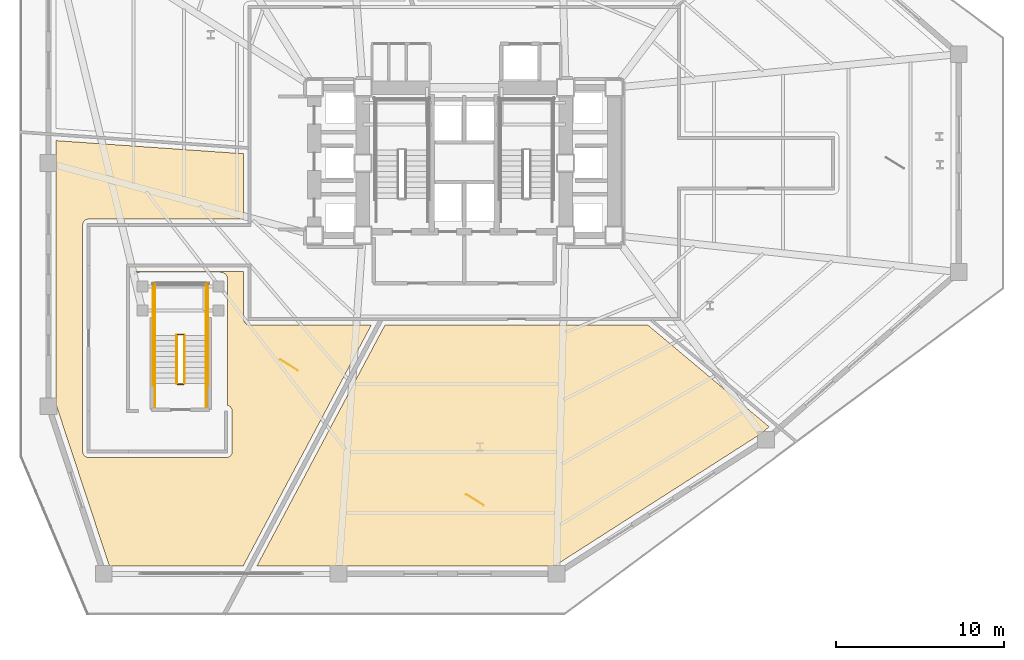
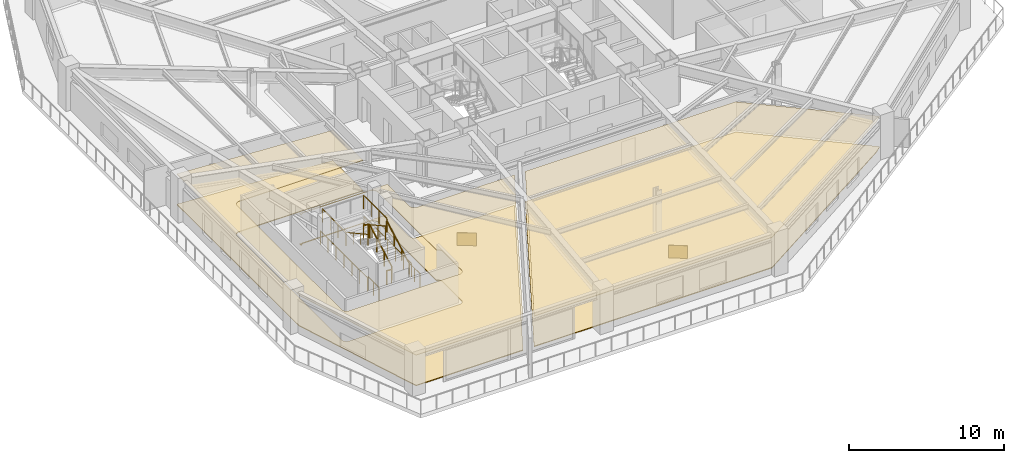
# One storey, part 9 of 12: 12 railings, 6 coverings.
"""IFC4 building model written with IfcOpenShell, lengths in metres."""

from ifc_helpers import new_model, si_unit, direction, frame, origin, origin_2d, place, context, subcontext, project, spatial, polyline, rectangle, outline, extrude, material, layer, layer_set, type_object, element, save


model = new_model("IFC4")

# Units and contexts
model_context = context("Model", 3, precision=1e-05, world=origin(), true_north=direction((0.0, 1.0)))
body_context = subcontext(model_context, "Body", "Model", "MODEL_VIEW")
ifc_project = project(units=[si_unit("LENGTHUNIT", "METRE"), si_unit("AREAUNIT", "SQUARE_METRE"), si_unit("VOLUMEUNIT", "CUBIC_METRE"), si_unit("PLANEANGLEUNIT", "RADIAN"), si_unit("MASSUNIT", "GRAM", prefix="KILO")], contexts=[model_context])

# Site, building, storey
site_placement = place(None, origin())
site = spatial("IfcSite", under=ifc_project, at=site_placement, CompositionType="ELEMENT")
building_placement = place(site_placement, origin())
building = spatial("IfcBuilding", under=site, at=building_placement, Name="Rocaltana Carrier Exchange", CompositionType="ELEMENT")
storey_placement = place(building_placement, frame((0.0, 0.0, 11.840087890625)))
storey = spatial("IfcBuildingStorey", under=building, at=storey_placement, Name="L04", CompositionType="ELEMENT", Elevation=11.840087890625)

# Coverings
ifc_material_1 = material(Name="Calcium Sulphate & Aluminium Pedestal", Category="aluminium")
ifc_layer_1 = layer(ifc_material_1, 0.06005859375)
ifc_layer_set_1 = layer_set([ifc_layer_1], Name="Calcium Sulphate & Aluminium Pedestal")
covering_type_1 = type_object("IfcCoveringType", Name="Anti-Static Raised Exchange Access Floor 60", PredefinedType="FLOORING", material=ifc_layer_set_1)
covering_1_placement = place(storey_placement, origin())
element("IfcCovering", 1, at=covering_1_placement, inside=storey, type_object=covering_type_1, Name="L04 Network Engineering Studio Finish Floor", PredefinedType="FLOORING", context=body_context, shape_type="SweptSolid", body=[
    extrude(outline(polyline([(-24.340087890625, 1.341064453125), (-13.159912109375, 0.559326171875), (-13.159912109375, -3.340087890625), (-22.39990234375, -3.340087890625), (-22.413818359375, -3.34033203125), (-22.421630859375, -3.3408203125), (-22.448974609375, -3.343505859375), (-22.456787109375, -3.344482421875), (-22.483642578125, -3.349853515625), (-22.4912109375, -3.351806640625), (-22.517578125, -3.35986328125), (-22.52490234375, -3.362548828125), (-22.55029296875, -3.373046875), (-22.557373046875, -3.376220703125), (-22.581787109375, -3.389404296875), (-22.58837890625, -3.393310546875), (-22.611083984375, -3.40869140625), (-22.617431640625, -3.413330078125), (-22.638916015625, -3.4306640625), (-22.64453125, -3.43603515625), (-22.6640625, -3.455322265625), (-22.669189453125, -3.461181640625), (-22.686767578125, -3.482421875), (-22.69140625, -3.48876953125), (-22.706787109375, -3.51171875), (-22.710693359375, -3.518310546875), (-22.7236328125, -3.54248046875), (-22.72705078125, -3.5498046875), (-22.737548828125, -3.5751953125), (-22.740234375, -3.58251953125), (-22.748291015625, -3.608642578125), (-22.75, -3.616455078125), (-22.75537109375, -3.643310546875), (-22.756591796875, -3.651123046875), (-22.75927734375, -3.678466796875), (-22.759765625, -3.686279296875), (-22.760009765625, -3.699951171875), (-22.760009765625, -17.199951171875), (-22.759765625, -17.213623046875), (-22.75927734375, -17.2216796875), (-22.756591796875, -17.248779296875), (-22.75537109375, -17.256591796875), (-22.75, -17.28369140625), (-22.748291015625, -17.291259765625), (-22.740234375, -17.317626953125), (-22.737548828125, -17.324951171875), (-22.72705078125, -17.350341796875), (-22.7236328125, -17.357421875), (-22.710693359375, -17.381591796875), (-22.706787109375, -17.388427734375), (-22.69140625, -17.4111328125), (-22.686767578125, -17.41748046875), (-22.669189453125, -17.438720703125), (-22.6640625, -17.444580078125), (-22.64453125, -17.464111328125), (-22.638916015625, -17.46923828125), (-22.617431640625, -17.48681640625), (-22.611083984375, -17.491455078125), (-22.58837890625, -17.506591796875), (-22.581787109375, -17.5107421875), (-22.557373046875, -17.523681640625), (-22.55029296875, -17.527099609375), (-22.52490234375, -17.53759765625), (-22.517578125, -17.540283203125), (-22.4912109375, -17.548095703125), (-22.483642578125, -17.550048828125), (-22.456787109375, -17.555419921875), (-22.448974609375, -17.556640625), (-22.421630859375, -17.559326171875), (-22.413818359375, -17.559814453125), (-22.39990234375, -17.56005859375), (-14.199951171875, -17.56005859375), (-14.186279296875, -17.559814453125), (-14.178466796875, -17.559326171875), (-14.151123046875, -17.556640625), (-14.143310546875, -17.555419921875), (-14.116455078125, -17.550048828125), (-14.108642578125, -17.548095703125), (-14.08251953125, -17.540283203125), (-14.0751953125, -17.53759765625), (-14.0498046875, -17.527099609375), (-14.04248046875, -17.523681640625), (-14.018310546875, -17.5107421875), (-14.01171875, -17.506591796875), (-13.98876953125, -17.491455078125), (-13.982421875, -17.48681640625), (-13.961181640625, -17.46923828125), (-13.955322265625, -17.464111328125), (-13.93603515625, -17.444580078125), (-13.9306640625, -17.438720703125), (-13.913330078125, -17.41748046875), (-13.90869140625, -17.4111328125), (-13.893310546875, -17.388427734375), (-13.889404296875, -17.381591796875), (-13.876220703125, -17.357421875), (-13.873046875, -17.350341796875), (-13.862548828125, -17.324951171875), (-13.85986328125, -17.317626953125), (-13.851806640625, -17.291259765625), (-13.849853515625, -17.28369140625), (-13.844482421875, -17.256591796875), (-13.843505859375, -17.248779296875), (-13.8408203125, -17.2216796875), (-13.84033203125, -17.213623046875), (-13.840087890625, -17.199951171875), (-13.840087890625, -14.800048828125), (-13.84033203125, -14.786376953125), (-13.8408203125, -14.7783203125), (-13.843505859375, -14.751220703125), (-13.844482421875, -14.743408203125), (-13.849853515625, -14.71630859375), (-13.851806640625, -14.708740234375), (-13.85986328125, -14.682373046875), (-13.862548828125, -14.675048828125), (-13.873046875, -14.649658203125), (-13.876220703125, -14.642578125), (-13.889404296875, -14.618408203125), (-13.893310546875, -14.611572265625), (-13.90869140625, -14.5888671875), (-13.913330078125, -14.58251953125), (-13.9306640625, -14.561279296875), (-13.93603515625, -14.555419921875), (-13.955322265625, -14.535888671875), (-13.961181640625, -14.53076171875), (-13.982421875, -14.51318359375), (-13.98876953125, -14.508544921875), (-14.01171875, -14.493408203125), (-14.018310546875, -14.4892578125), (-14.04248046875, -14.476318359375), (-14.0498046875, -14.472900390625), (-14.0751953125, -14.46240234375), (-14.08251953125, -14.459716796875), (-14.108642578125, -14.451904296875), (-14.110107421875, -14.451416015625), (-14.110107421875, -6.949951171875), (-14.1103515625, -6.936279296875), (-14.111083984375, -6.920654296875), (-14.11376953125, -6.893310546875), (-14.1162109375, -6.877685546875), (-14.12158203125, -6.850830078125), (-14.125244140625, -6.83544921875), (-14.13330078125, -6.80908203125), (-14.138427734375, -6.79443359375), (-14.149169921875, -6.76904296875), (-14.15576171875, -6.7548828125), (-14.168701171875, -6.730712890625), (-14.1767578125, -6.71728515625), (-14.192138671875, -6.6943359375), (-14.201416015625, -6.681640625), (-14.218994140625, -6.660400390625), (-14.2294921875, -6.648681640625), (-14.248779296875, -6.62939453125), (-14.260498046875, -6.618896484375), (-14.28173828125, -6.601318359375), (-14.294189453125, -6.592041015625), (-14.317138671875, -6.576904296875), (-14.33056640625, -6.568603515625), (-14.35498046875, -6.555908203125), (-14.369140625, -6.549072265625), (-14.394287109375, -6.53857421875), (-14.4091796875, -6.533203125), (-14.435546875, -6.525390625), (-14.45068359375, -6.521484375), (-14.477783203125, -6.51611328125), (-14.4931640625, -6.513916015625), (-14.5205078125, -6.510986328125), (-14.536376953125, -6.51025390625), (-14.550048828125, -6.510009765625), (-19.35009765625, -6.510009765625), (-19.36376953125, -6.51025390625), (-19.37939453125, -6.510986328125), (-19.40673828125, -6.513916015625), (-19.42236328125, -6.51611328125), (-19.44921875, -6.521484375), (-19.464599609375, -6.525390625), (-19.49072265625, -6.533203125), (-19.505615234375, -6.53857421875), (-19.531005859375, -6.549072265625), (-19.545166015625, -6.555908203125), (-19.5693359375, -6.568603515625), (-19.582763671875, -6.576904296875), (-19.605712890625, -6.592041015625), (-19.618408203125, -6.601318359375), (-19.639404296875, -6.618896484375), (-19.651123046875, -6.62939453125), (-19.670654296875, -6.648681640625), (-19.68115234375, -6.660400390625), (-19.68994140625, -6.671142578125), (-19.68994140625, -6.4599609375), (-13.159912109375, -6.4599609375), (-13.159912109375, -9.300048828125), (-13.15966796875, -9.313720703125), (-13.1591796875, -9.321533203125), (-13.156494140625, -9.348876953125), (-13.155517578125, -9.356689453125), (-13.150146484375, -9.383544921875), (-13.148193359375, -9.391357421875), (-13.14013671875, -9.41748046875), (-13.137451171875, -9.4248046875), (-13.126953125, -9.4501953125), (-13.123779296875, -9.45751953125), (-13.110595703125, -9.481689453125), (-13.106689453125, -9.48828125), (-13.09130859375, -9.51123046875), (-13.086669921875, -9.517578125), (-13.0693359375, -9.538818359375), (-13.06396484375, -9.544677734375), (-13.044677734375, -9.56396484375), (-13.038818359375, -9.5693359375), (-13.017578125, -9.586669921875), (-13.01123046875, -9.59130859375), (-12.98828125, -9.606689453125), (-12.981689453125, -9.610595703125), (-12.95751953125, -9.623779296875), (-12.9501953125, -9.626953125), (-12.9248046875, -9.637451171875), (-12.91748046875, -9.64013671875), (-12.891357421875, -9.648193359375), (-12.883544921875, -9.650146484375), (-12.856689453125, -9.655517578125), (-12.848876953125, -9.656494140625), (-12.821533203125, -9.6591796875), (-12.813720703125, -9.65966796875), (-12.800048828125, -9.659912109375), (-5.5439453125, -9.659912109375), (-13.18994140625, -24.0400390625), (-21.16748046875, -24.0400390625), (-24.340087890625, -14.426025390625), (-24.340087890625, 1.341064453125)])), origin(), (0.0, 0.0, 1.0), 0.059814453125),
])
covering_2_placement = place(storey_placement, origin())
element("IfcCovering", 2, at=covering_2_placement, inside=storey, type_object=covering_type_1, Name="L04 Photonic Integration Workshop Finish Floor", PredefinedType="FLOORING", context=body_context, shape_type="SweptSolid", body=[
    extrude(outline(polyline([(17.7236328125, -16.130615234375), (5.365478515625, -24.0400390625), (-12.37451171875, -24.0400390625), (-4.728515625, -9.659912109375), (10.952392578125, -9.659912109375), (18.185302734375, -15.729248046875), (17.7236328125, -16.130615234375)])), origin(), (0.0, 0.0, 1.0), 0.059814453125),
])
ifc_material_2 = material(Name="Mineral Fibre & Powder-Coated Aluminium", Category="aluminium")
ifc_layer_2 = layer(ifc_material_2, 0.044921875)
ifc_layer_set_2 = layer_set([ifc_layer_2], Name="Mineral Fibre & Powder-Coated Aluminium")
covering_type_2 = type_object("IfcCoveringType", Name="Micro-Perforated Acoustic Ceiling 45", PredefinedType="CEILING", material=ifc_layer_set_2)
covering_3_placement = place(storey_placement, frame((0.0, 0.0, 2.40283203125)))
element("IfcCovering", 3, at=covering_3_placement, inside=storey, type_object=covering_type_2, Name="L04 Network Engineering Studio Acoustic Ceiling", PredefinedType="CEILING", context=body_context, shape_type="SweptSolid", body=[
    extrude(outline(polyline([(-24.340087890625, 1.341064453125), (-13.159912109375, 0.559326171875), (-13.159912109375, -3.340087890625), (-22.39990234375, -3.340087890625), (-22.413818359375, -3.34033203125), (-22.421630859375, -3.3408203125), (-22.448974609375, -3.343505859375), (-22.456787109375, -3.344482421875), (-22.483642578125, -3.349853515625), (-22.4912109375, -3.351806640625), (-22.517578125, -3.35986328125), (-22.52490234375, -3.362548828125), (-22.55029296875, -3.373046875), (-22.557373046875, -3.376220703125), (-22.581787109375, -3.389404296875), (-22.58837890625, -3.393310546875), (-22.611083984375, -3.40869140625), (-22.617431640625, -3.413330078125), (-22.638916015625, -3.4306640625), (-22.64453125, -3.43603515625), (-22.6640625, -3.455322265625), (-22.669189453125, -3.461181640625), (-22.686767578125, -3.482421875), (-22.69140625, -3.48876953125), (-22.706787109375, -3.51171875), (-22.710693359375, -3.518310546875), (-22.7236328125, -3.54248046875), (-22.72705078125, -3.5498046875), (-22.737548828125, -3.5751953125), (-22.740234375, -3.58251953125), (-22.748291015625, -3.608642578125), (-22.75, -3.616455078125), (-22.75537109375, -3.643310546875), (-22.756591796875, -3.651123046875), (-22.75927734375, -3.678466796875), (-22.759765625, -3.686279296875), (-22.760009765625, -3.699951171875), (-22.760009765625, -17.199951171875), (-22.759765625, -17.213623046875), (-22.75927734375, -17.2216796875), (-22.756591796875, -17.248779296875), (-22.75537109375, -17.256591796875), (-22.75, -17.28369140625), (-22.748291015625, -17.291259765625), (-22.740234375, -17.317626953125), (-22.737548828125, -17.324951171875), (-22.72705078125, -17.350341796875), (-22.7236328125, -17.357421875), (-22.710693359375, -17.381591796875), (-22.706787109375, -17.388427734375), (-22.69140625, -17.4111328125), (-22.686767578125, -17.41748046875), (-22.669189453125, -17.438720703125), (-22.6640625, -17.444580078125), (-22.64453125, -17.464111328125), (-22.638916015625, -17.46923828125), (-22.617431640625, -17.48681640625), (-22.611083984375, -17.491455078125), (-22.58837890625, -17.506591796875), (-22.581787109375, -17.5107421875), (-22.557373046875, -17.523681640625), (-22.55029296875, -17.527099609375), (-22.52490234375, -17.53759765625), (-22.517578125, -17.540283203125), (-22.4912109375, -17.548095703125), (-22.483642578125, -17.550048828125), (-22.456787109375, -17.555419921875), (-22.448974609375, -17.556640625), (-22.421630859375, -17.559326171875), (-22.413818359375, -17.559814453125), (-22.39990234375, -17.56005859375), (-14.199951171875, -17.56005859375), (-14.186279296875, -17.559814453125), (-14.178466796875, -17.559326171875), (-14.151123046875, -17.556640625), (-14.143310546875, -17.555419921875), (-14.116455078125, -17.550048828125), (-14.108642578125, -17.548095703125), (-14.08251953125, -17.540283203125), (-14.0751953125, -17.53759765625), (-14.0498046875, -17.527099609375), (-14.04248046875, -17.523681640625), (-14.018310546875, -17.5107421875), (-14.01171875, -17.506591796875), (-13.98876953125, -17.491455078125), (-13.982421875, -17.48681640625), (-13.961181640625, -17.46923828125), (-13.955322265625, -17.464111328125), (-13.93603515625, -17.444580078125), (-13.9306640625, -17.438720703125), (-13.913330078125, -17.41748046875), (-13.90869140625, -17.4111328125), (-13.893310546875, -17.388427734375), (-13.889404296875, -17.381591796875), (-13.876220703125, -17.357421875), (-13.873046875, -17.350341796875), (-13.862548828125, -17.324951171875), (-13.85986328125, -17.317626953125), (-13.851806640625, -17.291259765625), (-13.849853515625, -17.28369140625), (-13.844482421875, -17.256591796875), (-13.843505859375, -17.248779296875), (-13.8408203125, -17.2216796875), (-13.84033203125, -17.213623046875), (-13.840087890625, -17.199951171875), (-13.840087890625, -14.800048828125), (-13.84033203125, -14.786376953125), (-13.8408203125, -14.7783203125), (-13.843505859375, -14.751220703125), (-13.844482421875, -14.743408203125), (-13.849853515625, -14.71630859375), (-13.851806640625, -14.708740234375), (-13.85986328125, -14.682373046875), (-13.862548828125, -14.675048828125), (-13.873046875, -14.649658203125), (-13.876220703125, -14.642578125), (-13.889404296875, -14.618408203125), (-13.893310546875, -14.611572265625), (-13.90869140625, -14.5888671875), (-13.913330078125, -14.58251953125), (-13.9306640625, -14.561279296875), (-13.93603515625, -14.555419921875), (-13.955322265625, -14.535888671875), (-13.961181640625, -14.53076171875), (-13.982421875, -14.51318359375), (-13.98876953125, -14.508544921875), (-14.01171875, -14.493408203125), (-14.018310546875, -14.4892578125), (-14.04248046875, -14.476318359375), (-14.0498046875, -14.472900390625), (-14.0751953125, -14.46240234375), (-14.08251953125, -14.459716796875), (-14.108642578125, -14.451904296875), (-14.110107421875, -14.451416015625), (-14.110107421875, -6.949951171875), (-14.1103515625, -6.936279296875), (-14.111083984375, -6.920654296875), (-14.11376953125, -6.893310546875), (-14.1162109375, -6.877685546875), (-14.12158203125, -6.850830078125), (-14.125244140625, -6.83544921875), (-14.13330078125, -6.80908203125), (-14.138427734375, -6.79443359375), (-14.149169921875, -6.76904296875), (-14.15576171875, -6.7548828125), (-14.168701171875, -6.730712890625), (-14.1767578125, -6.71728515625), (-14.192138671875, -6.6943359375), (-14.201416015625, -6.681640625), (-14.218994140625, -6.660400390625), (-14.2294921875, -6.648681640625), (-14.248779296875, -6.62939453125), (-14.260498046875, -6.618896484375), (-14.28173828125, -6.601318359375), (-14.294189453125, -6.592041015625), (-14.317138671875, -6.576904296875), (-14.33056640625, -6.568603515625), (-14.35498046875, -6.555908203125), (-14.369140625, -6.549072265625), (-14.394287109375, -6.53857421875), (-14.4091796875, -6.533203125), (-14.435546875, -6.525390625), (-14.45068359375, -6.521484375), (-14.477783203125, -6.51611328125), (-14.4931640625, -6.513916015625), (-14.5205078125, -6.510986328125), (-14.536376953125, -6.51025390625), (-14.550048828125, -6.510009765625), (-19.35009765625, -6.510009765625), (-19.36376953125, -6.51025390625), (-19.37939453125, -6.510986328125), (-19.40673828125, -6.513916015625), (-19.42236328125, -6.51611328125), (-19.44921875, -6.521484375), (-19.464599609375, -6.525390625), (-19.49072265625, -6.533203125), (-19.505615234375, -6.53857421875), (-19.531005859375, -6.549072265625), (-19.545166015625, -6.555908203125), (-19.5693359375, -6.568603515625), (-19.582763671875, -6.576904296875), (-19.605712890625, -6.592041015625), (-19.618408203125, -6.601318359375), (-19.639404296875, -6.618896484375), (-19.651123046875, -6.62939453125), (-19.670654296875, -6.648681640625), (-19.68115234375, -6.660400390625), (-19.68994140625, -6.671142578125), (-19.68994140625, -6.4599609375), (-13.159912109375, -6.4599609375), (-13.159912109375, -9.300048828125), (-13.15966796875, -9.313720703125), (-13.1591796875, -9.321533203125), (-13.156494140625, -9.348876953125), (-13.155517578125, -9.356689453125), (-13.150146484375, -9.383544921875), (-13.148193359375, -9.391357421875), (-13.14013671875, -9.41748046875), (-13.137451171875, -9.4248046875), (-13.126953125, -9.4501953125), (-13.123779296875, -9.45751953125), (-13.110595703125, -9.481689453125), (-13.106689453125, -9.48828125), (-13.09130859375, -9.51123046875), (-13.086669921875, -9.517578125), (-13.0693359375, -9.538818359375), (-13.06396484375, -9.544677734375), (-13.044677734375, -9.56396484375), (-13.038818359375, -9.5693359375), (-13.017578125, -9.586669921875), (-13.01123046875, -9.59130859375), (-12.98828125, -9.606689453125), (-12.981689453125, -9.610595703125), (-12.95751953125, -9.623779296875), (-12.9501953125, -9.626953125), (-12.9248046875, -9.637451171875), (-12.91748046875, -9.64013671875), (-12.891357421875, -9.648193359375), (-12.883544921875, -9.650146484375), (-12.856689453125, -9.655517578125), (-12.848876953125, -9.656494140625), (-12.821533203125, -9.6591796875), (-12.813720703125, -9.65966796875), (-12.800048828125, -9.659912109375), (-5.5439453125, -9.659912109375), (-13.18994140625, -24.0400390625), (-21.16748046875, -24.0400390625), (-24.340087890625, -14.426025390625), (-24.340087890625, 1.341064453125)])), origin(), (0.0, 0.0, 1.0), 0.045166015625),
])
covering_4_placement = place(storey_placement, frame((0.0, 0.0, 2.40283203125)))
element("IfcCovering", 4, at=covering_4_placement, inside=storey, type_object=covering_type_2, Name="L04 Photonic Integration Workshop Acoustic Ceiling", PredefinedType="CEILING", context=body_context, shape_type="SweptSolid", body=[
    extrude(outline(polyline([(17.7236328125, -16.130615234375), (5.365478515625, -24.0400390625), (-12.37451171875, -24.0400390625), (-4.728515625, -9.659912109375), (10.952392578125, -9.659912109375), (18.185302734375, -15.729248046875), (17.7236328125, -16.130615234375)])), origin(), (0.0, 0.0, 1.0), 0.045166015625),
])

# Railings
ifc_material_3 = material(Name="Brushed Architectural Stainless Tube", Category="steel")
ifc_layer_3 = layer(ifc_material_3, 0.048095703125)
ifc_layer_set_3 = layer_set([ifc_layer_3], Name="Brushed Architectural Stainless Tube")
railing_type_1 = type_object("IfcRailingType", Name="Stair Wall Handrail 920", PredefinedType="HANDRAIL", material=ifc_layer_set_3)
railing_1_placement = place(storey_placement, frame((-15.389892578125, -13.14990234375, 0.176025390625)))
element("IfcRailing", 5, at=railing_1_placement, inside=storey, type_object=railing_type_1, Name="L04 ST-3 stair handrail 1", PredefinedType="HANDRAIL", context=body_context, shape_type="SweptSolid", body=[
    extrude(rectangle(XDim=0.048095703125, YDim=0.048095703125, at=origin_2d()), frame((0.0, 0.0, 0.8759765625), z_axis=(0.0, 0.876209635416, 0.481930155525), x_axis=(-1.0, 0.0, 0.0)), (0.0, 0.0, 1.0), 3.286865234375),
    extrude(rectangle(XDim=0.0419921875, YDim=0.0419921875, at=origin_2d()), origin(), (0.0, 0.0, 1.0), 0.851806640625),
    extrude(rectangle(XDim=0.0419921875, YDim=0.0419921875, at=origin_2d()), frame((0.0, 0.9599609375, 0.528076171875)), (0.0, 0.0, 1.0), 0.851806640625),
    extrude(rectangle(XDim=0.0419921875, YDim=0.0419921875, at=origin_2d()), frame((0.0, 1.919921875, 1.055908203125)), (0.0, 0.0, 1.0), 0.851806640625),
    extrude(rectangle(XDim=0.0419921875, YDim=0.0419921875, at=origin_2d()), frame((0.0, 2.8798828125, 1.583984375)), (0.0, 0.0, 1.0), 0.851806640625),
])
railing_2_placement = place(storey_placement, frame((-18.449951171875, -10.27001953125, 1.935791015625)))
element("IfcRailing", 6, at=railing_2_placement, inside=storey, type_object=railing_type_1, Name="L04 ST-3 stair handrail 2", PredefinedType="HANDRAIL", context=body_context, shape_type="SweptSolid", body=[
    extrude(rectangle(XDim=0.048095703125, YDim=0.048095703125, at=origin_2d()), frame((0.0, 0.0, 0.8759765625), z_axis=(0.0, -0.876178268232, 0.481987180617), x_axis=(1.0, 0.0, 0.0)), (0.0, 0.0, 1.0), 3.286865234375),
    extrude(rectangle(XDim=0.0419921875, YDim=0.0419921875, at=origin_2d()), origin(), (0.0, 0.0, 1.0), 0.851806640625),
    extrude(rectangle(XDim=0.0419921875, YDim=0.0419921875, at=origin_2d()), frame((0.0, -0.9599609375, 0.528076171875)), (0.0, 0.0, 1.0), 0.851806640625),
    extrude(rectangle(XDim=0.0419921875, YDim=0.0419921875, at=origin_2d()), frame((0.0, -1.919921875, 1.05615234375)), (0.0, 0.0, 1.0), 0.851806640625),
    extrude(rectangle(XDim=0.0419921875, YDim=0.0419921875, at=origin_2d()), frame((0.0, -2.8798828125, 1.584228515625)), (0.0, 0.0, 1.0), 0.851806640625),
])
ifc_material_4 = material(Name="Powder-Coated Aluminium 6063-T6", Category="aluminium")
ifc_layer_4 = layer(ifc_material_4, 0.048095703125)
ifc_layer_set_4 = layer_set([ifc_layer_4], Name="Powder-Coated Aluminium 6063-T6")
railing_type_2 = type_object("IfcRailingType", Name="Stair Well Guardrail 1100", PredefinedType="GUARDRAIL", material=ifc_layer_set_4)
railing_3_placement = place(storey_placement, frame((-16.68994140625, -13.14990234375, 0.176025390625)))
element("IfcRailing", 7, at=railing_3_placement, inside=storey, type_object=railing_type_2, Name="L04 ST-3 stair guard 1", PredefinedType="GUARDRAIL", context=body_context, shape_type="SweptSolid", body=[
    extrude(rectangle(XDim=0.048095703125, YDim=0.048095703125, at=origin_2d()), frame((0.0, 0.0, 1.076171875), z_axis=(0.0, 0.876209635416, 0.481930155525), x_axis=(-1.0, 0.0, 0.0)), (0.0, 0.0, 1.0), 3.286865234375),
    extrude(rectangle(XDim=0.0419921875, YDim=0.0419921875, at=origin_2d()), origin(), (0.0, 0.0, 1.0), 1.052001953125),
    extrude(rectangle(XDim=0.0419921875, YDim=0.0419921875, at=origin_2d()), frame((0.0, 0.9599609375, 0.528076171875)), (0.0, 0.0, 1.0), 1.052001953125),
    extrude(rectangle(XDim=0.0419921875, YDim=0.0419921875, at=origin_2d()), frame((0.0, 1.919921875, 1.055908203125)), (0.0, 0.0, 1.0), 1.052001953125),
    extrude(rectangle(XDim=0.0419921875, YDim=0.0419921875, at=origin_2d()), frame((0.0, 2.8798828125, 1.583984375)), (0.0, 0.0, 1.0), 1.052001953125),
])
railing_4_placement = place(storey_placement, frame((-16.739990234375, -10.219970703125, 1.760009765625)))
element("IfcRailing", 8, at=railing_4_placement, inside=storey, type_object=railing_type_2, Name="L04 ST-3 stair guard 2", PredefinedType="GUARDRAIL", context=body_context, shape_type="SweptSolid", body=[
    extrude(rectangle(XDim=0.048095703125, YDim=0.048095703125, at=origin_2d()), frame((0.0, 0.0, 1.076171875), z_axis=(-1.0, 0.0, 0.0), x_axis=(0.0, -1.0, 0.0)), (0.0, 0.0, 1.0), 0.360107421875),
    extrude(rectangle(XDim=0.0419921875, YDim=0.0419921875, at=origin_2d()), origin(), (0.0, 0.0, 1.0), 1.052001953125),
    extrude(rectangle(XDim=0.0419921875, YDim=0.0419921875, at=origin_2d()), frame((-0.360107421875, 0.0, 0.0)), (0.0, 0.0, 1.0), 1.052001953125),
])
for number, where, name in (
    (9, (-15.389892578125, -10.27001953125, 1.760009765625), "L04 ST-3 stair guard 3"),
    (10, (-18.449951171875, -10.27001953125, 1.760009765625), "L04 ST-3 stair guard 4"),
):
    element("IfcRailing", number, at=place(storey_placement, frame(where)), inside=storey, type_object=railing_type_2, Name=name, PredefinedType="GUARDRAIL", context=body_context, shape_type="SweptSolid", body=[
        extrude(rectangle(XDim=0.048095703125, YDim=0.048095703125, at=origin_2d()), frame((0.0, 0.0, 1.076171875), z_axis=(0.0, 1.0, 0.0), x_axis=(-1.0, 0.0, 0.0)), (0.0, 0.0, 1.0), 3.02001953125),
        extrude(rectangle(XDim=0.0419921875, YDim=0.0419921875, at=origin_2d()), origin(), (0.0, 0.0, 1.0), 1.052001953125),
        extrude(rectangle(XDim=0.0419921875, YDim=0.0419921875, at=origin_2d()), frame((0.0, 1.006591796875, 0.0)), (0.0, 0.0, 1.0), 1.052001953125),
        extrude(rectangle(XDim=0.0419921875, YDim=0.0419921875, at=origin_2d()), frame((0.0, 2.013427734375, 0.0)), (0.0, 0.0, 1.0), 1.052001953125),
        extrude(rectangle(XDim=0.0419921875, YDim=0.0419921875, at=origin_2d()), frame((0.0, 3.02001953125, 0.0)), (0.0, 0.0, 1.0), 1.052001953125),
    ])
railing_5_placement = place(storey_placement, frame((-17.14990234375, -10.27001953125, 1.935791015625)))
element("IfcRailing", 11, at=railing_5_placement, inside=storey, type_object=railing_type_2, Name="L04 ST-3 stair guard 6", PredefinedType="GUARDRAIL", context=body_context, shape_type="SweptSolid", body=[
    extrude(rectangle(XDim=0.048095703125, YDim=0.048095703125, at=origin_2d()), frame((0.0, 0.0, 1.076171875), z_axis=(0.0, -0.876178268232, 0.481987180617), x_axis=(1.0, 0.0, 0.0)), (0.0, 0.0, 1.0), 3.286865234375),
    extrude(rectangle(XDim=0.0419921875, YDim=0.0419921875, at=origin_2d()), origin(), (0.0, 0.0, 1.0), 1.052001953125),
    extrude(rectangle(XDim=0.0419921875, YDim=0.0419921875, at=origin_2d()), frame((0.0, -0.9599609375, 0.528076171875)), (0.0, 0.0, 1.0), 1.052001953125),
    extrude(rectangle(XDim=0.0419921875, YDim=0.0419921875, at=origin_2d()), frame((0.0, -1.919921875, 1.05615234375)), (0.0, 0.0, 1.0), 1.052001953125),
    extrude(rectangle(XDim=0.0419921875, YDim=0.0419921875, at=origin_2d()), frame((0.0, -2.8798828125, 1.584228515625)), (0.0, 0.0, 1.0), 1.052001953125),
])
railing_6_placement = place(storey_placement, frame((-16.739990234375, -13.199951171875, 0.0)))
element("IfcRailing", 12, at=railing_6_placement, inside=storey, type_object=railing_type_2, Name="L04 ST-3 stair guard 7", PredefinedType="GUARDRAIL", context=body_context, shape_type="SweptSolid", body=[
    extrude(rectangle(XDim=0.048095703125, YDim=0.048095703125, at=origin_2d()), frame((0.0, 0.0, 1.076171875), z_axis=(-1.0, 0.0, 0.0), x_axis=(0.0, -1.0, 0.0)), (0.0, 0.0, 1.0), 0.360107421875),
    extrude(rectangle(XDim=0.0419921875, YDim=0.0419921875, at=origin_2d()), origin(), (0.0, 0.0, 1.0), 1.052001953125),
    extrude(rectangle(XDim=0.0419921875, YDim=0.0419921875, at=origin_2d()), frame((-0.360107421875, 0.0, 0.0)), (0.0, 0.0, 1.0), 1.052001953125),
])
for number, where, name in (
    (13, (-15.389892578125, -14.550048828125, 0.0), "L04 ST-3 stair guard 8"),
    (14, (-18.449951171875, -14.550048828125, 0.0), "L04 ST-3 stair guard 9"),
):
    element("IfcRailing", number, at=place(storey_placement, frame(where)), inside=storey, type_object=railing_type_2, Name=name, PredefinedType="GUARDRAIL", context=body_context, shape_type="SweptSolid", body=[
        extrude(rectangle(XDim=0.048095703125, YDim=0.048095703125, at=origin_2d()), frame((0.0, 0.0, 1.076171875), z_axis=(0.0, 1.0, 0.0), x_axis=(-1.0, 0.0, 0.0)), (0.0, 0.0, 1.0), 1.400146484375),
        extrude(rectangle(XDim=0.0419921875, YDim=0.0419921875, at=origin_2d()), origin(), (0.0, 0.0, 1.0), 1.052001953125),
        extrude(rectangle(XDim=0.0419921875, YDim=0.0419921875, at=origin_2d()), frame((0.0, 0.7001953125, 0.0)), (0.0, 0.0, 1.0), 1.052001953125),
        extrude(rectangle(XDim=0.0419921875, YDim=0.0419921875, at=origin_2d()), frame((0.0, 1.400146484375, 0.0)), (0.0, 0.0, 1.0), 1.052001953125),
    ])
for number, where, name in (
    (15, (-15.2900390625, -13.25, 0.0), "L04 ST-3 stair guard 10"),
    (16, (-18.550048828125, -13.25, 0.0), "L04 ST-3 stair guard 11"),
):
    element("IfcRailing", number, at=place(storey_placement, frame(where)), inside=storey, type_object=railing_type_2, Name=name, PredefinedType="GUARDRAIL", context=body_context, shape_type="SweptSolid", body=[
        extrude(rectangle(XDim=0.048095703125, YDim=0.048095703125, at=origin_2d()), frame((0.0, 0.0, 1.076171875), z_axis=(0.0, 1.0, 0.0), x_axis=(-1.0, 0.0, 0.0)), (0.0, 0.0, 1.0), 6.10009765625),
        extrude(rectangle(XDim=0.0419921875, YDim=0.0419921875, at=origin_2d()), origin(), (0.0, 0.0, 1.0), 1.052001953125),
        extrude(rectangle(XDim=0.0419921875, YDim=0.0419921875, at=origin_2d()), frame((0.0, 1.0166015625, 0.0)), (0.0, 0.0, 1.0), 1.052001953125),
        extrude(rectangle(XDim=0.0419921875, YDim=0.0419921875, at=origin_2d()), frame((0.0, 2.033447265625, 0.0)), (0.0, 0.0, 1.0), 1.052001953125),
        extrude(rectangle(XDim=0.0419921875, YDim=0.0419921875, at=origin_2d()), frame((0.0, 3.050048828125, 0.0)), (0.0, 0.0, 1.0), 1.052001953125),
        extrude(rectangle(XDim=0.0419921875, YDim=0.0419921875, at=origin_2d()), frame((0.0, 4.066650390625, 0.0)), (0.0, 0.0, 1.0), 1.052001953125),
        extrude(rectangle(XDim=0.0419921875, YDim=0.0419921875, at=origin_2d()), frame((0.0, 5.08349609375, 0.0)), (0.0, 0.0, 1.0), 1.052001953125),
        extrude(rectangle(XDim=0.0419921875, YDim=0.0419921875, at=origin_2d()), frame((0.0, 6.10009765625, 0.0)), (0.0, 0.0, 1.0), 1.052001953125),
    ])

# Coverings
ifc_material_5 = material(Name="Honed Piedra Muneca Sandstone", Category="masonry")
ifc_layer_5 = layer(ifc_material_5, 0.034912109375)
ifc_layer_set_5 = layer_set([ifc_layer_5], Name="Honed Piedra Muneca Sandstone")
covering_type_3 = type_object("IfcCoveringType", Name="Stone Facade Cladding 35", PredefinedType="CLADDING", material=ifc_layer_set_5)
for number, where, z_axis, x_axis, name in (
    (17, (-10.460693359375, -12.04296875, 0.0), (0.0, 0.0, 1.0), (-0.848048096156, 0.529919264233, 0.0), "L04 Stone Facade Cladding Panel 1"),
    (18, (0.63623046875, -20.08544921875, 0.0), (0.0, 0.0, 1.0), (-0.848048096156, 0.529919264233, 0.0), "L04 Stone Facade Cladding Panel 2"),
):
    element("IfcCovering", number, at=place(storey_placement, frame(where, z_axis=z_axis, x_axis=x_axis)), inside=storey, type_object=covering_type_3, Name=name, PredefinedType="CLADDING", context=body_context, shape_type="SweptSolid", body=[
        extrude(rectangle(XDim=1.25, YDim=0.034912109375, at=origin_2d()), origin(), (0.0, 0.0, 1.0), 1.050048828125),
    ])

save(model, "model.ifc")
